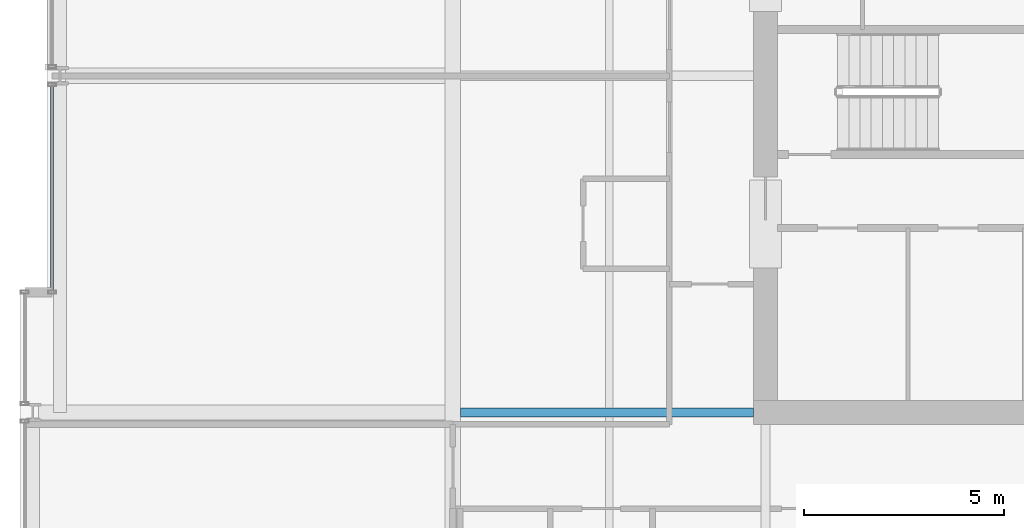
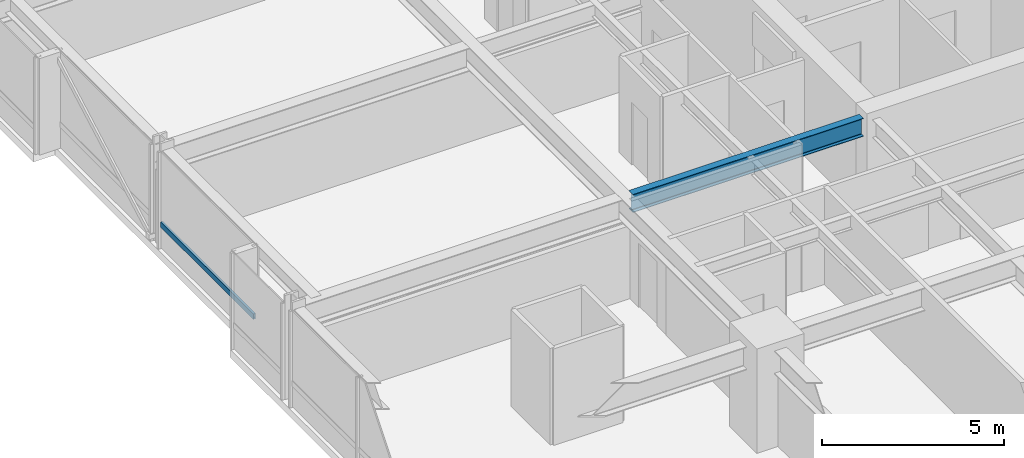
# One storey, part 8 of 34: 1 beam, 1 member, 1 element without a shape of its own.
"""IFC4 building model written with IfcOpenShell, lengths in metres."""

from ifc_helpers import new_model, si_unit, direction, frame, origin, origin_2d, place, context, subcontext, project, spatial, hollow_rectangle, i_section, extrude, material, layer, layer_set, material_profile, profile_set, type_object, element, aggregate, save


model = new_model("IFC4")

# Units and contexts
model_context = context("Model", 3, precision=1e-05, world=origin(), true_north=direction((0.0, 1.0)))
body_context = subcontext(model_context, "Body", "Model", "MODEL_VIEW")
ifc_project = project(units=[si_unit("LENGTHUNIT", "METRE"), si_unit("AREAUNIT", "SQUARE_METRE"), si_unit("VOLUMEUNIT", "CUBIC_METRE"), si_unit("PLANEANGLEUNIT", "RADIAN"), si_unit("MASSUNIT", "GRAM", prefix="KILO")], contexts=[model_context])

# Site, building, storey
site_placement = place(None, origin())
site = spatial("IfcSite", under=ifc_project, at=site_placement, CompositionType="ELEMENT")
building_placement = place(site_placement, origin())
building = spatial("IfcBuilding", under=site, at=building_placement, Name="Drelvath Grand Hotel", CompositionType="ELEMENT")
storey_placement = place(building_placement, frame((0.0, 0.0, 116.300048828125)))
storey = spatial("IfcBuildingStorey", under=building, at=storey_placement, Name="L29", CompositionType="ELEMENT", Elevation=116.300048828125)

# Curtain wall, member
ifc_material_1 = material(Name="Champagne Bronze Anodised Aluminium Frame", Category="aluminium")
ifc_layer = layer(ifc_material_1, 0.199951171875)
ifc_layer_set = layer_set([ifc_layer], Name="Champagne Bronze Anodised Aluminium Frame")
curtain_wall_type = type_object("IfcCurtainWallType", Name="Stick Curtain Wall CW-03 Champagne Bronze Mid-Rise", PredefinedType="NOTDEFINED", material=ifc_layer_set)
curtain_wall_placement = place(storey_placement, origin())
curtain_wall = element("IfcCurtainWall", 1, at=curtain_wall_placement, inside=storey, type_object=curtain_wall_type, Name="L29 CW-03 Curtain Wall CW03-L29-WM1", PredefinedType="NOTDEFINED")
ifc_material_profile_1 = material_profile(ifc_material_1, hollow_rectangle(XDim=0.074951171875, YDim=0.179931640625, WallThickness=0.0048828125, at=origin_2d()), Name="HSS180X75X5")
ifc_profile_set_1 = profile_set([ifc_material_profile_1], Name="Champagne Bronze Anodised Aluminium Frame")
member_type = type_object("IfcMemberType", Name="Curtain Wall Horizontal Transom CW-03 HSS180X75X5", PredefinedType="USERDEFINED", material=ifc_profile_set_1)
member_placement = place(storey_placement, frame((-26.199951171875, 21.639892578125, 0.81005859375), z_axis=(0.0, 1.0, 0.0), x_axis=(-1.0, 0.0, 0.0)))
member = element("IfcMember", 2, at=member_placement, type_object=member_type, Name="CW03-L29-WM1 Sill Transom", ObjectType="TRANSOM", PredefinedType="USERDEFINED", context=body_context, shape_type="SweptSolid", body=[
    extrude(hollow_rectangle(XDim=0.074951171875, YDim=0.179931640625, WallThickness=0.0048828125, at=origin_2d()), origin(), (0.0, 0.0, 1.0), 5.1005859375),
])
aggregate(curtain_wall, [member])

# Beam
ifc_material_2 = material(Name="Steel ASTM A992 Gr 50", Category="steel")
ifc_material_profile_2 = material_profile(ifc_material_2, i_section(OverallWidth=0.228271484375, OverallDepth=0.607666015625, WebThickness=0.01123046875, FlangeThickness=0.017333984375, FilletRadius=0.02001953125, at=origin_2d()), Name="W24X76")
ifc_profile_set_2 = profile_set([ifc_material_profile_2], Name="Steel ASTM A992 Gr 50")
beam_type = type_object("IfcBeamType", Name="Primary Floor Girder W24X76", PredefinedType="BEAM", material=ifc_profile_set_2)
beam_placement = place(storey_placement, frame((-16.009765625, 18.60009765625, 2.93603515625), z_axis=(1.0, 0.0, 0.0), x_axis=(0.0, 1.0, 0.0)))
element("IfcBeam", 3, at=beam_placement, inside=storey, type_object=beam_type, Name="L29 West Core Tie D", PredefinedType="BEAM", context=body_context, shape_type="SweptSolid", body=[
    extrude(i_section(OverallWidth=0.228271484375, OverallDepth=0.607666015625, WebThickness=0.01123046875, FlangeThickness=0.017333984375, FilletRadius=0.02001953125, at=origin_2d()), origin(), (0.0, 0.0, 1.0), 7.309814453125),
])

save(model, "model.ifc")
